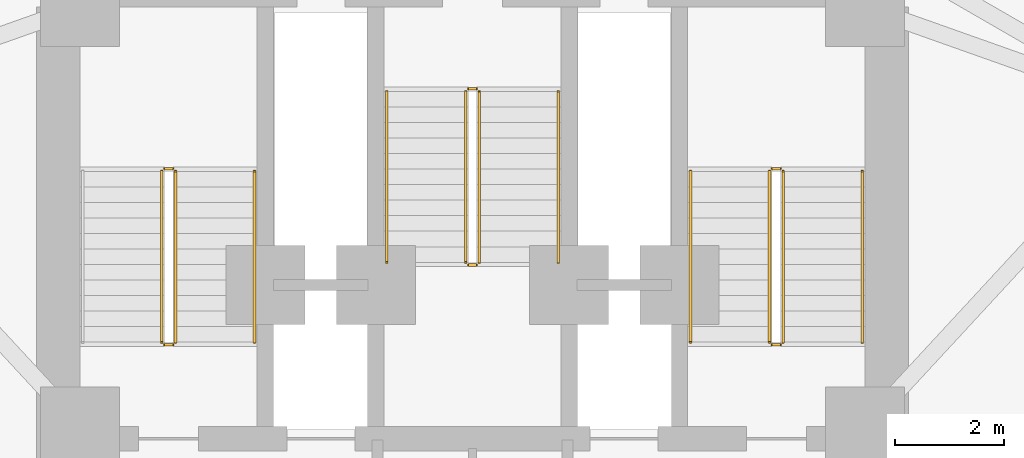
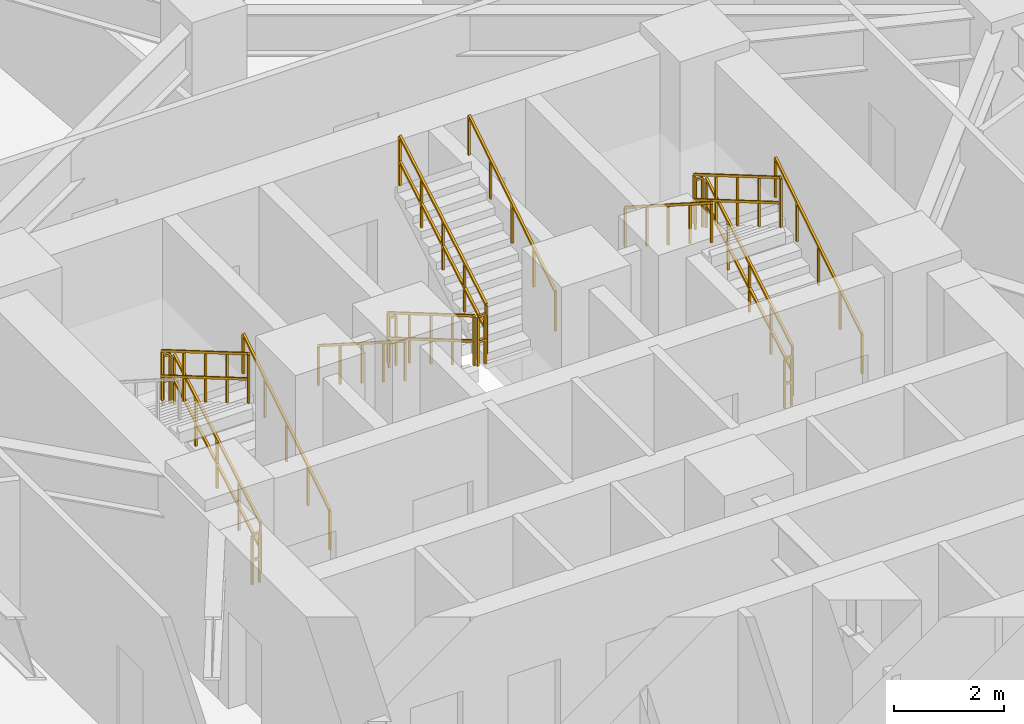
# One storey, part 9 of 10: 17 railings.
"""IFC4 building model written with IfcOpenShell, lengths in metres."""

from ifc_helpers import new_model, si_unit, direction, frame, origin, origin_2d, place, context, subcontext, project, spatial, rectangle, extrude, material, type_object, element, save


model = new_model("IFC4")

# Units and contexts
model_context = context("Model", 3, precision=1e-05, world=origin(), true_north=direction((0.0, 1.0)))
body_context = subcontext(model_context, "Body", "Model", "MODEL_VIEW")
ifc_project = project(units=[si_unit("LENGTHUNIT", "METRE"), si_unit("AREAUNIT", "SQUARE_METRE"), si_unit("VOLUMEUNIT", "CUBIC_METRE"), si_unit("PLANEANGLEUNIT", "RADIAN"), si_unit("MASSUNIT", "GRAM", prefix="KILO")], contexts=[model_context])

# Site, building, storey
site_placement = place(None, origin())
site = spatial("IfcSite", under=ifc_project, at=site_placement, CompositionType="ELEMENT")
building_placement = place(site_placement, origin())
building = spatial("IfcBuilding", under=site, at=building_placement, Name="Apsidion Concourse Tower", CompositionType="ELEMENT")
storey_placement = place(building_placement, frame((0.0, 0.0, 99.0)))
storey = spatial("IfcBuildingStorey", under=building, at=storey_placement, Name="L22", CompositionType="ELEMENT", Elevation=99.0)

# Railings
ifc_material = material(Name="Brushed stainless steel 316", Category="steel")
railing_type_1 = type_object("IfcRailingType", Name="RL-GUARD-1100", PredefinedType="GUARDRAIL", material=ifc_material)
railing_1_placement = place(storey_placement, frame((-5.449951171875, 3.0, 0.166748046875)))
element("IfcRailing", 1, at=railing_1_placement, inside=storey, type_object=railing_type_1, Name="L22 ST1 stair guard 1", PredefinedType="GUARDRAIL", context=body_context, shape_type="SweptSolid", body=[
    extrude(rectangle(XDim=0.048095703125, YDim=0.048095703125, at=origin_2d()), frame((0.0, 0.0, 1.09619140625), z_axis=(0.0, 0.863239559939, 0.504794475164), x_axis=(-1.0, 0.0, 0.0)), (0.0, 0.0, 1.0), 3.631591796875),
    extrude(rectangle(XDim=0.048095703125, YDim=0.048095703125, at=origin_2d()), frame((0.0, 0.0, 0.5361328125), z_axis=(0.0, 0.863239559939, 0.504794475164), x_axis=(-1.0, 0.0, 0.0)), (0.0, 0.0, 1.0), 3.631591796875),
    extrude(rectangle(XDim=0.0419921875, YDim=0.0419921875, at=origin_2d()), origin(), (0.0, 0.0, 1.0), 1.072021484375),
    extrude(rectangle(XDim=0.0419921875, YDim=0.0419921875, at=origin_2d()), frame((0.0, 0.78369140625, 0.458251953125)), (0.0, 0.0, 1.0), 1.072021484375),
    extrude(rectangle(XDim=0.0419921875, YDim=0.0419921875, at=origin_2d()), frame((0.0, 1.5673828125, 0.91650390625)), (0.0, 0.0, 1.0), 1.072021484375),
    extrude(rectangle(XDim=0.0419921875, YDim=0.0419921875, at=origin_2d()), frame((0.0, 2.351318359375, 1.375)), (0.0, 0.0, 1.0), 1.072021484375),
    extrude(rectangle(XDim=0.0419921875, YDim=0.0419921875, at=origin_2d()), frame((0.0, 3.135009765625, 1.833251953125)), (0.0, 0.0, 1.0), 1.072021484375),
])
railing_2_placement = place(storey_placement, frame((-5.5, 6.18505859375, 2.0)))
element("IfcRailing", 2, at=railing_2_placement, inside=storey, type_object=railing_type_1, Name="L22 ST1 stair guard 2", PredefinedType="GUARDRAIL", context=body_context, shape_type="SweptSolid", body=[
    extrude(rectangle(XDim=0.048095703125, YDim=0.048095703125, at=origin_2d()), frame((0.0, 0.0, 1.09619140625), z_axis=(-1.0, 0.0, 0.0), x_axis=(0.0, -1.0, 0.0)), (0.0, 0.0, 1.0), 0.14990234375),
    extrude(rectangle(XDim=0.048095703125, YDim=0.048095703125, at=origin_2d()), frame((0.0, 0.0, 0.5361328125), z_axis=(-1.0, 0.0, 0.0), x_axis=(0.0, -1.0, 0.0)), (0.0, 0.0, 1.0), 0.14990234375),
    extrude(rectangle(XDim=0.0419921875, YDim=0.0419921875, at=origin_2d()), origin(), (0.0, 0.0, 1.0), 1.072021484375),
    extrude(rectangle(XDim=0.0419921875, YDim=0.0419921875, at=origin_2d()), frame((-0.14990234375, 0.0, 0.0)), (0.0, 0.0, 1.0), 1.072021484375),
])
railing_3_placement = place(storey_placement, frame((-5.699951171875, 6.135009765625, 2.166748046875)))
element("IfcRailing", 3, at=railing_3_placement, inside=storey, type_object=railing_type_1, Name="L22 ST1 stair guard 3", PredefinedType="GUARDRAIL", context=body_context, shape_type="SweptSolid", body=[
    extrude(rectangle(XDim=0.048095703125, YDim=0.048095703125, at=origin_2d()), frame((0.0, 0.0, 1.09619140625), z_axis=(0.0, -0.863239559939, 0.504794475164), x_axis=(1.0, 0.0, 0.0)), (0.0, 0.0, 1.0), 3.631591796875),
    extrude(rectangle(XDim=0.048095703125, YDim=0.048095703125, at=origin_2d()), frame((0.0, 0.0, 0.5361328125), z_axis=(0.0, -0.863239559939, 0.504794475164), x_axis=(1.0, 0.0, 0.0)), (0.0, 0.0, 1.0), 3.631591796875),
    extrude(rectangle(XDim=0.0419921875, YDim=0.0419921875, at=origin_2d()), origin(), (0.0, 0.0, 1.0), 1.072021484375),
    extrude(rectangle(XDim=0.0419921875, YDim=0.0419921875, at=origin_2d()), frame((0.0, -0.78369140625, 0.458251953125)), (0.0, 0.0, 1.0), 1.072021484375),
    extrude(rectangle(XDim=0.0419921875, YDim=0.0419921875, at=origin_2d()), frame((0.0, -1.5673828125, 0.91650390625)), (0.0, 0.0, 1.0), 1.072021484375),
    extrude(rectangle(XDim=0.0419921875, YDim=0.0419921875, at=origin_2d()), frame((0.0, -2.351318359375, 1.375)), (0.0, 0.0, 1.0), 1.072021484375),
    extrude(rectangle(XDim=0.0419921875, YDim=0.0419921875, at=origin_2d()), frame((0.0, -3.135009765625, 1.833251953125)), (0.0, 0.0, 1.0), 1.072021484375),
])
railing_4_placement = place(storey_placement, frame((-5.5, 2.949951171875, 0.0)))
element("IfcRailing", 4, at=railing_4_placement, inside=storey, type_object=railing_type_1, Name="L22 ST1 stair guard 4", PredefinedType="GUARDRAIL", context=body_context, shape_type="SweptSolid", body=[
    extrude(rectangle(XDim=0.048095703125, YDim=0.048095703125, at=origin_2d()), frame((0.0, 0.0, 1.09619140625), z_axis=(-1.0, 0.0, 0.0), x_axis=(0.0, -1.0, 0.0)), (0.0, 0.0, 1.0), 0.14990234375),
    extrude(rectangle(XDim=0.048095703125, YDim=0.048095703125, at=origin_2d()), frame((0.0, 0.0, 0.5361328125), z_axis=(-1.0, 0.0, 0.0), x_axis=(0.0, -1.0, 0.0)), (0.0, 0.0, 1.0), 0.14990234375),
    extrude(rectangle(XDim=0.0419921875, YDim=0.0419921875, at=origin_2d()), origin(), (0.0, 0.0, 1.0), 1.072021484375),
    extrude(rectangle(XDim=0.0419921875, YDim=0.0419921875, at=origin_2d()), frame((-0.14990234375, 0.0, 0.0)), (0.0, 0.0, 1.0), 1.072021484375),
])
railing_5_placement = place(storey_placement, frame((5.699951171875, 3.0, 0.166748046875)))
element("IfcRailing", 5, at=railing_5_placement, inside=storey, type_object=railing_type_1, Name="L22 ST2 stair guard 1", PredefinedType="GUARDRAIL", context=body_context, shape_type="SweptSolid", body=[
    extrude(rectangle(XDim=0.048095703125, YDim=0.048095703125, at=origin_2d()), frame((0.0, 0.0, 1.09619140625), z_axis=(0.0, 0.863239559939, 0.504794475164), x_axis=(-1.0, 0.0, 0.0)), (0.0, 0.0, 1.0), 3.631591796875),
    extrude(rectangle(XDim=0.048095703125, YDim=0.048095703125, at=origin_2d()), frame((0.0, 0.0, 0.5361328125), z_axis=(0.0, 0.863239559939, 0.504794475164), x_axis=(-1.0, 0.0, 0.0)), (0.0, 0.0, 1.0), 3.631591796875),
    extrude(rectangle(XDim=0.0419921875, YDim=0.0419921875, at=origin_2d()), origin(), (0.0, 0.0, 1.0), 1.072021484375),
    extrude(rectangle(XDim=0.0419921875, YDim=0.0419921875, at=origin_2d()), frame((0.0, 0.78369140625, 0.458251953125)), (0.0, 0.0, 1.0), 1.072021484375),
    extrude(rectangle(XDim=0.0419921875, YDim=0.0419921875, at=origin_2d()), frame((0.0, 1.5673828125, 0.91650390625)), (0.0, 0.0, 1.0), 1.072021484375),
    extrude(rectangle(XDim=0.0419921875, YDim=0.0419921875, at=origin_2d()), frame((0.0, 2.351318359375, 1.375)), (0.0, 0.0, 1.0), 1.072021484375),
    extrude(rectangle(XDim=0.0419921875, YDim=0.0419921875, at=origin_2d()), frame((0.0, 3.135009765625, 1.833251953125)), (0.0, 0.0, 1.0), 1.072021484375),
])
railing_6_placement = place(storey_placement, frame((5.64990234375, 6.18505859375, 2.0)))
element("IfcRailing", 6, at=railing_6_placement, inside=storey, type_object=railing_type_1, Name="L22 ST2 stair guard 2", PredefinedType="GUARDRAIL", context=body_context, shape_type="SweptSolid", body=[
    extrude(rectangle(XDim=0.048095703125, YDim=0.048095703125, at=origin_2d()), frame((0.0, 0.0, 1.09619140625), z_axis=(-1.0, 0.0, 0.0), x_axis=(0.0, -1.0, 0.0)), (0.0, 0.0, 1.0), 0.14990234375),
    extrude(rectangle(XDim=0.048095703125, YDim=0.048095703125, at=origin_2d()), frame((0.0, 0.0, 0.5361328125), z_axis=(-1.0, 0.0, 0.0), x_axis=(0.0, -1.0, 0.0)), (0.0, 0.0, 1.0), 0.14990234375),
    extrude(rectangle(XDim=0.0419921875, YDim=0.0419921875, at=origin_2d()), origin(), (0.0, 0.0, 1.0), 1.072021484375),
    extrude(rectangle(XDim=0.0419921875, YDim=0.0419921875, at=origin_2d()), frame((-0.14990234375, 0.0, 0.0)), (0.0, 0.0, 1.0), 1.072021484375),
])
railing_7_placement = place(storey_placement, frame((5.449951171875, 6.135009765625, 2.166748046875)))
element("IfcRailing", 7, at=railing_7_placement, inside=storey, type_object=railing_type_1, Name="L22 ST2 stair guard 3", PredefinedType="GUARDRAIL", context=body_context, shape_type="SweptSolid", body=[
    extrude(rectangle(XDim=0.048095703125, YDim=0.048095703125, at=origin_2d()), frame((0.0, 0.0, 1.09619140625), z_axis=(0.0, -0.863239559939, 0.504794475164), x_axis=(1.0, 0.0, 0.0)), (0.0, 0.0, 1.0), 3.631591796875),
    extrude(rectangle(XDim=0.048095703125, YDim=0.048095703125, at=origin_2d()), frame((0.0, 0.0, 0.5361328125), z_axis=(0.0, -0.863239559939, 0.504794475164), x_axis=(1.0, 0.0, 0.0)), (0.0, 0.0, 1.0), 3.631591796875),
    extrude(rectangle(XDim=0.0419921875, YDim=0.0419921875, at=origin_2d()), origin(), (0.0, 0.0, 1.0), 1.072021484375),
    extrude(rectangle(XDim=0.0419921875, YDim=0.0419921875, at=origin_2d()), frame((0.0, -0.78369140625, 0.458251953125)), (0.0, 0.0, 1.0), 1.072021484375),
    extrude(rectangle(XDim=0.0419921875, YDim=0.0419921875, at=origin_2d()), frame((0.0, -1.5673828125, 0.91650390625)), (0.0, 0.0, 1.0), 1.072021484375),
    extrude(rectangle(XDim=0.0419921875, YDim=0.0419921875, at=origin_2d()), frame((0.0, -2.351318359375, 1.375)), (0.0, 0.0, 1.0), 1.072021484375),
    extrude(rectangle(XDim=0.0419921875, YDim=0.0419921875, at=origin_2d()), frame((0.0, -3.135009765625, 1.833251953125)), (0.0, 0.0, 1.0), 1.072021484375),
])
railing_8_placement = place(storey_placement, frame((5.64990234375, 2.949951171875, 0.0)))
element("IfcRailing", 8, at=railing_8_placement, inside=storey, type_object=railing_type_1, Name="L22 ST2 stair guard 4", PredefinedType="GUARDRAIL", context=body_context, shape_type="SweptSolid", body=[
    extrude(rectangle(XDim=0.048095703125, YDim=0.048095703125, at=origin_2d()), frame((0.0, 0.0, 1.09619140625), z_axis=(-1.0, 0.0, 0.0), x_axis=(0.0, -1.0, 0.0)), (0.0, 0.0, 1.0), 0.14990234375),
    extrude(rectangle(XDim=0.048095703125, YDim=0.048095703125, at=origin_2d()), frame((0.0, 0.0, 0.5361328125), z_axis=(-1.0, 0.0, 0.0), x_axis=(0.0, -1.0, 0.0)), (0.0, 0.0, 1.0), 0.14990234375),
    extrude(rectangle(XDim=0.0419921875, YDim=0.0419921875, at=origin_2d()), origin(), (0.0, 0.0, 1.0), 1.072021484375),
    extrude(rectangle(XDim=0.0419921875, YDim=0.0419921875, at=origin_2d()), frame((-0.14990234375, 0.0, 0.0)), (0.0, 0.0, 1.0), 1.072021484375),
])
railing_9_placement = place(storey_placement, frame((-0.125, 7.60009765625, 0.166748046875)))
element("IfcRailing", 9, at=railing_9_placement, inside=storey, type_object=railing_type_1, Name="L22 ST3 stair guard 1", PredefinedType="GUARDRAIL", context=body_context, shape_type="SweptSolid", body=[
    extrude(rectangle(XDim=0.048095703125, YDim=0.048095703125, at=origin_2d()), frame((0.0, 0.0, 1.09619140625), z_axis=(0.0, -0.863239559939, 0.504794475164), x_axis=(1.0, 0.0, 0.0)), (0.0, 0.0, 1.0), 3.631591796875),
    extrude(rectangle(XDim=0.048095703125, YDim=0.048095703125, at=origin_2d()), frame((0.0, 0.0, 0.5361328125), z_axis=(0.0, -0.863239559939, 0.504794475164), x_axis=(1.0, 0.0, 0.0)), (0.0, 0.0, 1.0), 3.631591796875),
    extrude(rectangle(XDim=0.0419921875, YDim=0.0419921875, at=origin_2d()), origin(), (0.0, 0.0, 1.0), 1.072021484375),
    extrude(rectangle(XDim=0.0419921875, YDim=0.0419921875, at=origin_2d()), frame((0.0, -0.78369140625, 0.458251953125)), (0.0, 0.0, 1.0), 1.072021484375),
    extrude(rectangle(XDim=0.0419921875, YDim=0.0419921875, at=origin_2d()), frame((0.0, -1.5673828125, 0.91650390625)), (0.0, 0.0, 1.0), 1.072021484375),
    extrude(rectangle(XDim=0.0419921875, YDim=0.0419921875, at=origin_2d()), frame((0.0, -2.351318359375, 1.375)), (0.0, 0.0, 1.0), 1.072021484375),
    extrude(rectangle(XDim=0.0419921875, YDim=0.0419921875, at=origin_2d()), frame((0.0, -3.135009765625, 1.833251953125)), (0.0, 0.0, 1.0), 1.072021484375),
])
railing_10_placement = place(storey_placement, frame((-0.074951171875, 4.4150390625, 2.0)))
element("IfcRailing", 10, at=railing_10_placement, inside=storey, type_object=railing_type_1, Name="L22 ST3 stair guard 2", PredefinedType="GUARDRAIL", context=body_context, shape_type="SweptSolid", body=[
    extrude(rectangle(XDim=0.048095703125, YDim=0.048095703125, at=origin_2d()), frame((0.0, 0.0, 1.09619140625), z_axis=(1.0, 0.0, 0.0), x_axis=(0.0, 1.0, 0.0)), (0.0, 0.0, 1.0), 0.14990234375),
    extrude(rectangle(XDim=0.048095703125, YDim=0.048095703125, at=origin_2d()), frame((0.0, 0.0, 0.5361328125), z_axis=(1.0, 0.0, 0.0), x_axis=(0.0, 1.0, 0.0)), (0.0, 0.0, 1.0), 0.14990234375),
    extrude(rectangle(XDim=0.0419921875, YDim=0.0419921875, at=origin_2d()), origin(), (0.0, 0.0, 1.0), 1.072021484375),
    extrude(rectangle(XDim=0.0419921875, YDim=0.0419921875, at=origin_2d()), frame((0.14990234375, 0.0, 0.0)), (0.0, 0.0, 1.0), 1.072021484375),
])
railing_11_placement = place(storey_placement, frame((0.125, 4.465087890625, 2.166748046875)))
element("IfcRailing", 11, at=railing_11_placement, inside=storey, type_object=railing_type_1, Name="L22 ST3 stair guard 3", PredefinedType="GUARDRAIL", context=body_context, shape_type="SweptSolid", body=[
    extrude(rectangle(XDim=0.048095703125, YDim=0.048095703125, at=origin_2d()), frame((0.0, 0.0, 1.09619140625), z_axis=(0.0, 0.863239559939, 0.504794475164), x_axis=(-1.0, 0.0, 0.0)), (0.0, 0.0, 1.0), 3.631591796875),
    extrude(rectangle(XDim=0.048095703125, YDim=0.048095703125, at=origin_2d()), frame((0.0, 0.0, 0.5361328125), z_axis=(0.0, 0.863239559939, 0.504794475164), x_axis=(-1.0, 0.0, 0.0)), (0.0, 0.0, 1.0), 3.631591796875),
    extrude(rectangle(XDim=0.0419921875, YDim=0.0419921875, at=origin_2d()), origin(), (0.0, 0.0, 1.0), 1.072021484375),
    extrude(rectangle(XDim=0.0419921875, YDim=0.0419921875, at=origin_2d()), frame((0.0, 0.78369140625, 0.458251953125)), (0.0, 0.0, 1.0), 1.072021484375),
    extrude(rectangle(XDim=0.0419921875, YDim=0.0419921875, at=origin_2d()), frame((0.0, 1.5673828125, 0.91650390625)), (0.0, 0.0, 1.0), 1.072021484375),
    extrude(rectangle(XDim=0.0419921875, YDim=0.0419921875, at=origin_2d()), frame((0.0, 2.351318359375, 1.375)), (0.0, 0.0, 1.0), 1.072021484375),
    extrude(rectangle(XDim=0.0419921875, YDim=0.0419921875, at=origin_2d()), frame((0.0, 3.135009765625, 1.833251953125)), (0.0, 0.0, 1.0), 1.072021484375),
])
railing_12_placement = place(storey_placement, frame((-0.074951171875, 7.64990234375, 0.0)))
element("IfcRailing", 12, at=railing_12_placement, inside=storey, type_object=railing_type_1, Name="L22 ST3 stair guard 4", PredefinedType="GUARDRAIL", context=body_context, shape_type="SweptSolid", body=[
    extrude(rectangle(XDim=0.048095703125, YDim=0.048095703125, at=origin_2d()), frame((0.0, 0.0, 1.09619140625), z_axis=(1.0, 0.0, 0.0), x_axis=(0.0, 1.0, 0.0)), (0.0, 0.0, 1.0), 0.14990234375),
    extrude(rectangle(XDim=0.048095703125, YDim=0.048095703125, at=origin_2d()), frame((0.0, 0.0, 0.5361328125), z_axis=(1.0, 0.0, 0.0), x_axis=(0.0, 1.0, 0.0)), (0.0, 0.0, 1.0), 0.14990234375),
    extrude(rectangle(XDim=0.0419921875, YDim=0.0419921875, at=origin_2d()), origin(), (0.0, 0.0, 1.0), 1.072021484375),
    extrude(rectangle(XDim=0.0419921875, YDim=0.0419921875, at=origin_2d()), frame((0.14990234375, 0.0, 0.0)), (0.0, 0.0, 1.0), 1.072021484375),
])
railing_type_2 = type_object("IfcRailingType", Name="RL-HAND-900", PredefinedType="HANDRAIL", material=ifc_material)
for number, where, name in (
    (13, (-4.0, 3.0, 0.166748046875), "L22 ST1 stair handrail 1"),
    (14, (7.14990234375, 3.0, 0.166748046875), "L22 ST2 stair handrail 1"),
):
    element("IfcRailing", number, at=place(storey_placement, frame(where)), inside=storey, type_object=railing_type_2, Name=name, PredefinedType="HANDRAIL", context=body_context, shape_type="SweptSolid", body=[
        extrude(rectangle(XDim=0.048095703125, YDim=0.048095703125, at=origin_2d()), frame((0.0, 0.0, 0.8759765625), z_axis=(0.0, 0.843052688722, 0.537830980921), x_axis=(-1.0, 0.0, 0.0)), (0.0, 0.0, 1.0), 3.71875),
        extrude(rectangle(XDim=0.0419921875, YDim=0.0419921875, at=origin_2d()), origin(), (0.0, 0.0, 1.0), 0.851806640625),
        extrude(rectangle(XDim=0.0419921875, YDim=0.0419921875, at=origin_2d()), frame((0.0, 0.78369140625, 0.5)), (0.0, 0.0, 1.0), 0.851806640625),
        extrude(rectangle(XDim=0.0419921875, YDim=0.0419921875, at=origin_2d()), frame((0.0, 1.5673828125, 1.0)), (0.0, 0.0, 1.0), 0.851806640625),
        extrude(rectangle(XDim=0.0419921875, YDim=0.0419921875, at=origin_2d()), frame((0.0, 2.351318359375, 1.5)), (0.0, 0.0, 1.0), 0.851806640625),
        extrude(rectangle(XDim=0.0419921875, YDim=0.0419921875, at=origin_2d()), frame((0.0, 3.135009765625, 2.0)), (0.0, 0.0, 1.0), 0.851806640625),
    ])
for number, where, name in (
    (15, (4.0, 6.135009765625, 2.166748046875), "L22 ST2 stair handrail 2"),
    (16, (-1.574951171875, 7.60009765625, 0.166748046875), "L22 ST3 stair handrail 1"),
):
    element("IfcRailing", number, at=place(storey_placement, frame(where)), inside=storey, type_object=railing_type_2, Name=name, PredefinedType="HANDRAIL", context=body_context, shape_type="SweptSolid", body=[
        extrude(rectangle(XDim=0.048095703125, YDim=0.048095703125, at=origin_2d()), frame((0.0, 0.0, 0.8759765625), z_axis=(0.0, -0.843052688722, 0.537830980921), x_axis=(1.0, 0.0, 0.0)), (0.0, 0.0, 1.0), 3.71875),
        extrude(rectangle(XDim=0.0419921875, YDim=0.0419921875, at=origin_2d()), origin(), (0.0, 0.0, 1.0), 0.851806640625),
        extrude(rectangle(XDim=0.0419921875, YDim=0.0419921875, at=origin_2d()), frame((0.0, -0.78369140625, 0.5)), (0.0, 0.0, 1.0), 0.851806640625),
        extrude(rectangle(XDim=0.0419921875, YDim=0.0419921875, at=origin_2d()), frame((0.0, -1.5673828125, 1.0)), (0.0, 0.0, 1.0), 0.851806640625),
        extrude(rectangle(XDim=0.0419921875, YDim=0.0419921875, at=origin_2d()), frame((0.0, -2.351318359375, 1.5)), (0.0, 0.0, 1.0), 0.851806640625),
        extrude(rectangle(XDim=0.0419921875, YDim=0.0419921875, at=origin_2d()), frame((0.0, -3.135009765625, 2.0)), (0.0, 0.0, 1.0), 0.851806640625),
    ])
railing_13_placement = place(storey_placement, frame((1.574951171875, 4.465087890625, 2.166748046875)))
element("IfcRailing", 17, at=railing_13_placement, inside=storey, type_object=railing_type_2, Name="L22 ST3 stair handrail 2", PredefinedType="HANDRAIL", context=body_context, shape_type="SweptSolid", body=[
    extrude(rectangle(XDim=0.048095703125, YDim=0.048095703125, at=origin_2d()), frame((0.0, 0.0, 0.8759765625), z_axis=(0.0, 0.843052688722, 0.537830980921), x_axis=(-1.0, 0.0, 0.0)), (0.0, 0.0, 1.0), 3.71875),
    extrude(rectangle(XDim=0.0419921875, YDim=0.0419921875, at=origin_2d()), origin(), (0.0, 0.0, 1.0), 0.851806640625),
    extrude(rectangle(XDim=0.0419921875, YDim=0.0419921875, at=origin_2d()), frame((0.0, 0.78369140625, 0.5)), (0.0, 0.0, 1.0), 0.851806640625),
    extrude(rectangle(XDim=0.0419921875, YDim=0.0419921875, at=origin_2d()), frame((0.0, 1.5673828125, 1.0)), (0.0, 0.0, 1.0), 0.851806640625),
    extrude(rectangle(XDim=0.0419921875, YDim=0.0419921875, at=origin_2d()), frame((0.0, 2.351318359375, 1.5)), (0.0, 0.0, 1.0), 0.851806640625),
    extrude(rectangle(XDim=0.0419921875, YDim=0.0419921875, at=origin_2d()), frame((0.0, 3.135009765625, 2.0)), (0.0, 0.0, 1.0), 0.851806640625),
])

save(model, "model.ifc")
